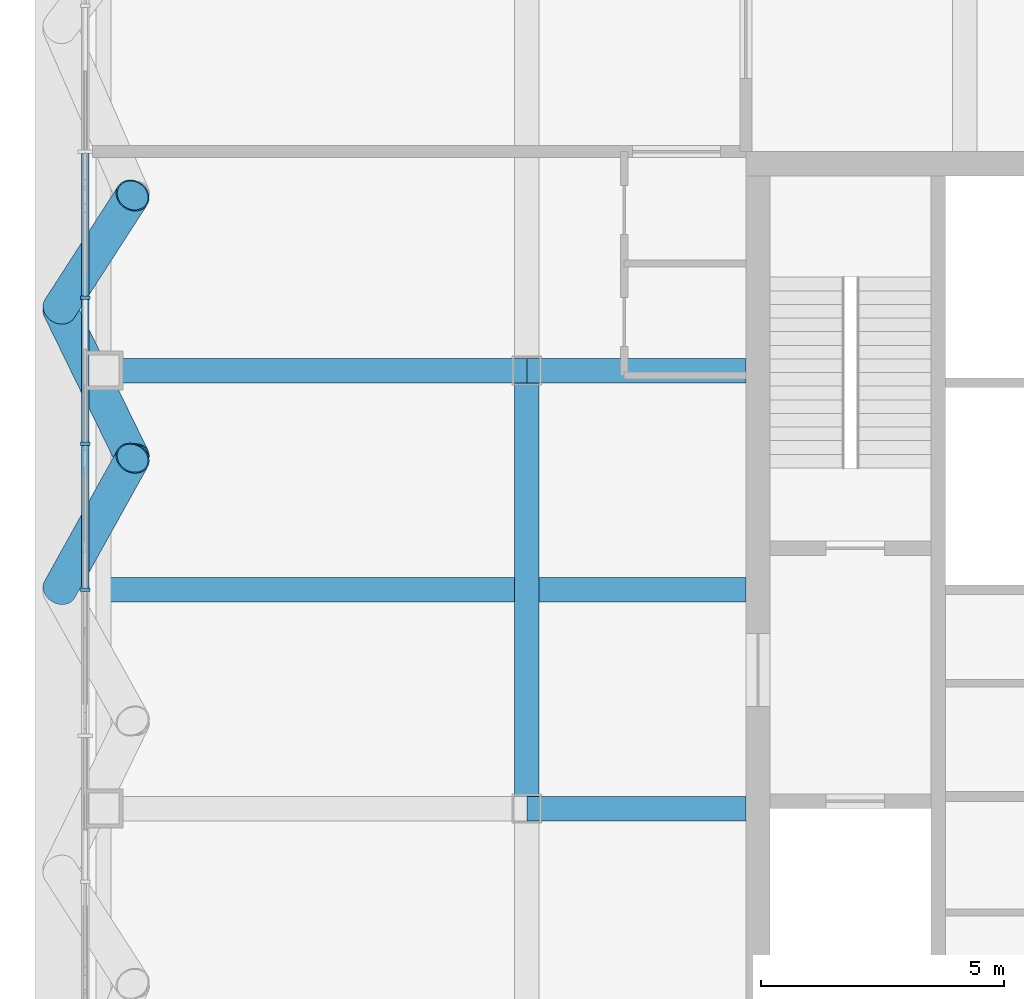
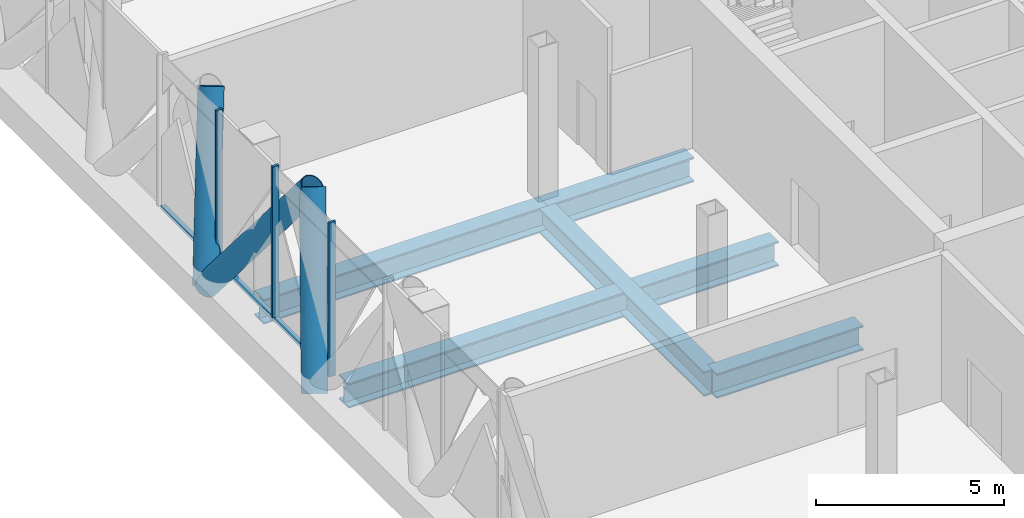
# One storey, part 6 of 27: 9 members, 5 beams, 1 element without a shape of its own.
"""IFC4 building model written with IfcOpenShell, lengths in metres."""

from ifc_helpers import new_model, si_unit, direction, frame, origin, origin_2d, place, context, subcontext, project, spatial, rectangle, hollow_circle, i_section, extrude, material, layer, layer_set, material_profile, profile_set, type_object, element, aggregate, save


model = new_model("IFC4")

# Units and contexts
model_context = context("Model", 3, precision=1e-05, world=origin(), true_north=direction((0.0, 1.0)))
body_context = subcontext(model_context, "Body", "Model", "MODEL_VIEW")
ifc_project = project(units=[si_unit("LENGTHUNIT", "METRE"), si_unit("AREAUNIT", "SQUARE_METRE"), si_unit("VOLUMEUNIT", "CUBIC_METRE"), si_unit("PLANEANGLEUNIT", "RADIAN"), si_unit("MASSUNIT", "GRAM", prefix="KILO")], contexts=[model_context])

# Site, building, storey
site_placement = place(None, origin())
site = spatial("IfcSite", under=ifc_project, at=site_placement, CompositionType="ELEMENT")
building_placement = place(site_placement, origin())
building = spatial("IfcBuilding", under=site, at=building_placement, Name="Malebo Sky Hospital", CompositionType="ELEMENT")
storey_placement = place(building_placement, frame((0.0, 0.0, 245.0)))
storey = spatial("IfcBuildingStorey", under=building, at=storey_placement, Name="L59", CompositionType="ELEMENT", Elevation=245.0)

# Curtain wall, members
ifc_material_1 = material(Name="Anodised aluminium, natural silver", Category="aluminium")
ifc_layer = layer(ifc_material_1, 0.25)
ifc_layer_set = layer_set([ifc_layer], Name="PLANT LOUVRE SCREEN")
curtain_wall_type = type_object("IfcCurtainWallType", Name="PLANT LOUVRE SCREEN", PredefinedType="NOTDEFINED", material=ifc_layer_set)
curtain_wall_placement = place(storey_placement, origin())
curtain_wall = element("IfcCurtainWall", 1, at=curtain_wall_placement, inside=storey, type_object=curtain_wall_type, Name="PLANT curtain wall W", PredefinedType="NOTDEFINED")
ifc_material_profile_1 = material_profile(ifc_material_1, rectangle(XDim=0.14990234375, YDim=0.10009765625, at=origin_2d()), Name="ALUMINIUM TRANSOM 150x100")
ifc_profile_set_1 = profile_set([ifc_material_profile_1], Name="Anodised aluminium, natural silver")
member_type_1 = type_object("IfcMemberType", Name="ALUMINIUM TRANSOM 150x100", PredefinedType="USERDEFINED", material=ifc_profile_set_1)
member_1_placement = place(storey_placement, frame((37.425048828125, 62.03759765625, 0.050048828125), z_axis=(0.0, 1.0, 0.0), x_axis=(-1.0, 0.0, 0.0)))
member_1 = element("IfcMember", 2, at=member_1_placement, type_object=member_type_1, Name="Transom 7", ObjectType="TRANSOM", PredefinedType="USERDEFINED", context=body_context, shape_type="SweptSolid", body=[
    extrude(rectangle(XDim=0.14990234375, YDim=0.10009765625, at=origin_2d()), origin(), (0.0, 0.0, 1.0), 2.9248046875),
])
member_2_placement = place(storey_placement, frame((37.425048828125, 65.03759765625, 0.050048828125), z_axis=(0.0, 1.0, 0.0), x_axis=(-1.0, 0.0, 0.0)))
member_2 = element("IfcMember", 3, at=member_2_placement, type_object=member_type_1, Name="Transom 8", ObjectType="TRANSOM", PredefinedType="USERDEFINED", context=body_context, shape_type="SweptSolid", body=[
    extrude(rectangle(XDim=0.14990234375, YDim=0.10009765625, at=origin_2d()), origin(), (0.0, 0.0, 1.0), 2.9248046875),
])
member_3_placement = place(storey_placement, frame((37.425048828125, 68.03759765625, 0.050048828125), z_axis=(0.0, 1.0, 0.0), x_axis=(-1.0, 0.0, 0.0)))
member_3 = element("IfcMember", 4, at=member_3_placement, type_object=member_type_1, Name="Transom 9", ObjectType="TRANSOM", PredefinedType="USERDEFINED", context=body_context, shape_type="SweptSolid", body=[
    extrude(rectangle(XDim=0.14990234375, YDim=0.10009765625, at=origin_2d()), origin(), (0.0, 0.0, 1.0), 2.9248046875),
])

# Members
ifc_material_2 = material(Name="Steel S460", Category="steel")
ifc_material_profile_2 = material_profile(ifc_material_2, hollow_circle(Radius=0.35546875, WallThickness=0.02490234375, at=origin_2d()), Name="CHS 711x25")
ifc_profile_set_2 = profile_set([ifc_material_profile_2], Name="Steel S460")
member_type_2 = type_object("IfcMemberType", Name="BELT TRUSS DIAGONAL CHS 711x25", PredefinedType="BRACE", material=ifc_profile_set_2)
member_4_placement = place(storey_placement, frame((38.39990234375, 70.10009765625, 4.14990234375), z_axis=(-0.281682040183, -0.436643839632, -0.854398844539), x_axis=(0.840317392723, -0.542094714499, 0.0)))
element("IfcMember", 5, at=member_4_placement, inside=storey, type_object=member_type_2, Name="Belt truss diagonal W3.2 L59", PredefinedType="BRACE", context=body_context, shape_type="SweptSolid", body=[
    extrude(hollow_circle(Radius=0.35546875, WallThickness=0.02490234375, at=origin_2d()), origin(), (0.0, 0.0, 1.0), 5.3251953125),
])
member_5_placement = place(storey_placement, frame((36.89990234375, 67.77490234375, -0.39990234375), z_axis=(0.263498548721, -0.540163447452, 0.799244621414), x_axis=(0.898765702371, 0.438429255686, 0.0)))
element("IfcMember", 6, at=member_5_placement, inside=storey, type_object=member_type_2, Name="Belt truss diagonal W4.1 L59", PredefinedType="BRACE", context=body_context, shape_type="SweptSolid", body=[
    extrude(hollow_circle(Radius=0.35546875, WallThickness=0.02490234375, at=origin_2d()), origin(), (0.0, 0.0, 1.0), 5.692626953125),
])
member_6_placement = place(storey_placement, frame((38.39990234375, 64.699951171875, 4.14990234375), z_axis=(-0.272770292559, -0.490977647365, -0.827367703797), x_axis=(0.87415354758, -0.485649642493, 0.0)))
element("IfcMember", 7, at=member_6_placement, inside=storey, type_object=member_type_2, Name="Belt truss diagonal W4.2 L59", PredefinedType="BRACE", context=body_context, shape_type="SweptSolid", body=[
    extrude(hollow_circle(Radius=0.35546875, WallThickness=0.02490234375, at=origin_2d()), origin(), (0.0, 0.0, 1.0), 5.4990234375),
])

# Member
ifc_material_profile_3 = material_profile(ifc_material_1, rectangle(XDim=0.074951171875, YDim=0.199951171875, at=origin_2d()), Name="CW5 ALUMINIUM FIN MULLION 75x200")
ifc_profile_set_3 = profile_set([ifc_material_profile_3], Name="Anodised aluminium, natural silver")
member_type_3 = type_object("IfcMemberType", Name="CW5 ALUMINIUM FIN MULLION 75x200", PredefinedType="MULLION", material=ifc_profile_set_3)
member_7_placement = place(storey_placement, frame((37.425048828125, 62.0, 0.0), z_axis=(0.0, 0.0, 1.0), x_axis=(0.0, 1.0, 0.0)))
member_7 = element("IfcMember", 8, at=member_7_placement, type_object=member_type_3, Name="Fin mullion 7", PredefinedType="MULLION", context=body_context, shape_type="SweptSolid", body=[
    extrude(rectangle(XDim=0.074951171875, YDim=0.199951171875, at=origin_2d()), origin(), (0.0, 0.0, 1.0), 5.0),
])

member_8_placement = place(storey_placement, frame((37.425048828125, 65.0, 0.0), z_axis=(0.0, 0.0, 1.0), x_axis=(0.0, 1.0, 0.0)))
member_8 = element("IfcMember", 9, at=member_8_placement, type_object=member_type_3, Name="Fin mullion 8", PredefinedType="MULLION", context=body_context, shape_type="SweptSolid", body=[
    extrude(rectangle(XDim=0.074951171875, YDim=0.199951171875, at=origin_2d()), origin(), (0.0, 0.0, 1.0), 5.0),
])

member_9_placement = place(storey_placement, frame((37.425048828125, 68.0, 0.0), z_axis=(0.0, 0.0, 1.0), x_axis=(0.0, 1.0, 0.0)))
member_9 = element("IfcMember", 10, at=member_9_placement, type_object=member_type_3, Name="Fin mullion 9", PredefinedType="MULLION", context=body_context, shape_type="SweptSolid", body=[
    extrude(rectangle(XDim=0.074951171875, YDim=0.199951171875, at=origin_2d()), origin(), (0.0, 0.0, 1.0), 5.0),
])

aggregate(curtain_wall, [member_7, member_8, member_9, member_1, member_2, member_3])

# Beams
ifc_material_3 = material(Name="Steel S355", Category="steel")
ifc_material_profile_4 = material_profile(ifc_material_3, i_section(OverallWidth=0.5, OverallDepth=0.800048828125, WebThickness=0.030029296875, FlangeThickness=0.050048828125, at=origin_2d()), Name="PG 800x500x30x50")
ifc_profile_set_4 = profile_set([ifc_material_profile_4], Name="Steel S355")
beam_type_1 = type_object("IfcBeamType", Name="FLOOR BEAM PG 800x500x30x50", PredefinedType="BEAM", material=ifc_profile_set_4)
beam_1_placement = place(storey_placement, frame((46.5, 57.5, -0.64990234375), z_axis=(1.0, 0.0, 0.0), x_axis=(0.0, 1.0, 0.0)))
element("IfcBeam", 11, at=beam_1_placement, inside=storey, type_object=beam_type_1, Name="Beam 047 L59", PredefinedType="BEAM", context=body_context, shape_type="SweptSolid", body=[
    extrude(i_section(OverallWidth=0.5, OverallDepth=0.800048828125, WebThickness=0.030029296875, FlangeThickness=0.050048828125, at=origin_2d()), origin(), (0.0, 0.0, 1.0), 4.5),
])
beam_2_placement = place(storey_placement, frame((37.800048828125, 62.0, -0.64990234375), z_axis=(1.0, 0.0, 0.0), x_axis=(0.0, 1.0, 0.0)))
element("IfcBeam", 12, at=beam_2_placement, inside=storey, type_object=beam_type_1, Name="Beam 050 L59", PredefinedType="BEAM", context=body_context, shape_type="SweptSolid", body=[
    extrude(i_section(OverallWidth=0.5, OverallDepth=0.800048828125, WebThickness=0.030029296875, FlangeThickness=0.050048828125, at=origin_2d()), origin(), (0.0, 0.0, 1.0), 13.199951171875),
])
beam_3_placement = place(storey_placement, frame((37.800048828125, 66.5, -0.64990234375), z_axis=(1.0, 0.0, 0.0), x_axis=(0.0, 1.0, 0.0)))
element("IfcBeam", 13, at=beam_3_placement, inside=storey, type_object=beam_type_1, Name="Beam 052 L59", PredefinedType="BEAM", context=body_context, shape_type="SweptSolid", body=[
    extrude(i_section(OverallWidth=0.5, OverallDepth=0.800048828125, WebThickness=0.030029296875, FlangeThickness=0.050048828125, at=origin_2d()), origin(), (0.0, 0.0, 1.0), 8.699951171875),
])
beam_4_placement = place(storey_placement, frame((46.5, 66.5, -0.64990234375), z_axis=(1.0, 0.0, 0.0), x_axis=(0.0, 1.0, 0.0)))
element("IfcBeam", 14, at=beam_4_placement, inside=storey, type_object=beam_type_1, Name="Beam 053 L59", PredefinedType="BEAM", context=body_context, shape_type="SweptSolid", body=[
    extrude(i_section(OverallWidth=0.5, OverallDepth=0.800048828125, WebThickness=0.030029296875, FlangeThickness=0.050048828125, at=origin_2d()), origin(), (0.0, 0.0, 1.0), 4.5),
])
ifc_material_profile_5 = material_profile(ifc_material_3, i_section(OverallWidth=0.5, OverallDepth=0.800048828125, WebThickness=0.030029296875, FlangeThickness=0.050048828125, at=origin_2d()), Name="PG 800x500x30x50")
ifc_profile_set_5 = profile_set([ifc_material_profile_5], Name="Steel S355")
beam_type_2 = type_object("IfcBeamType", Name="RING GIRDER PG 800x500x30x50", PredefinedType="BEAM", material=ifc_profile_set_5)
beam_5_placement = place(storey_placement, frame((46.5, 57.5, -0.64990234375), z_axis=(0.0, 1.0, 0.0), x_axis=(-1.0, 0.0, 0.0)))
element("IfcBeam", 15, at=beam_5_placement, inside=storey, type_object=beam_type_2, Name="Beam 009 L59", PredefinedType="BEAM", context=body_context, shape_type="SweptSolid", body=[
    extrude(i_section(OverallWidth=0.5, OverallDepth=0.800048828125, WebThickness=0.030029296875, FlangeThickness=0.050048828125, at=origin_2d()), origin(), (0.0, 0.0, 1.0), 9.0),
])

save(model, "model.ifc")
